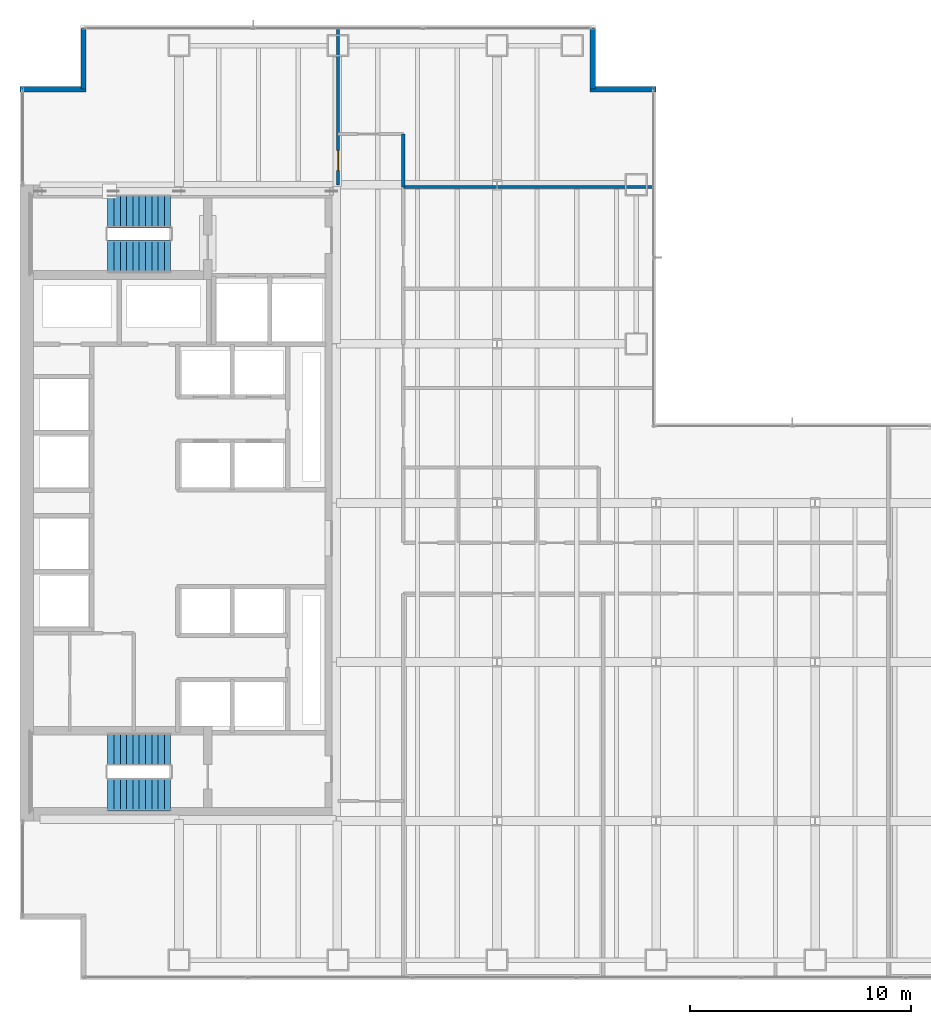
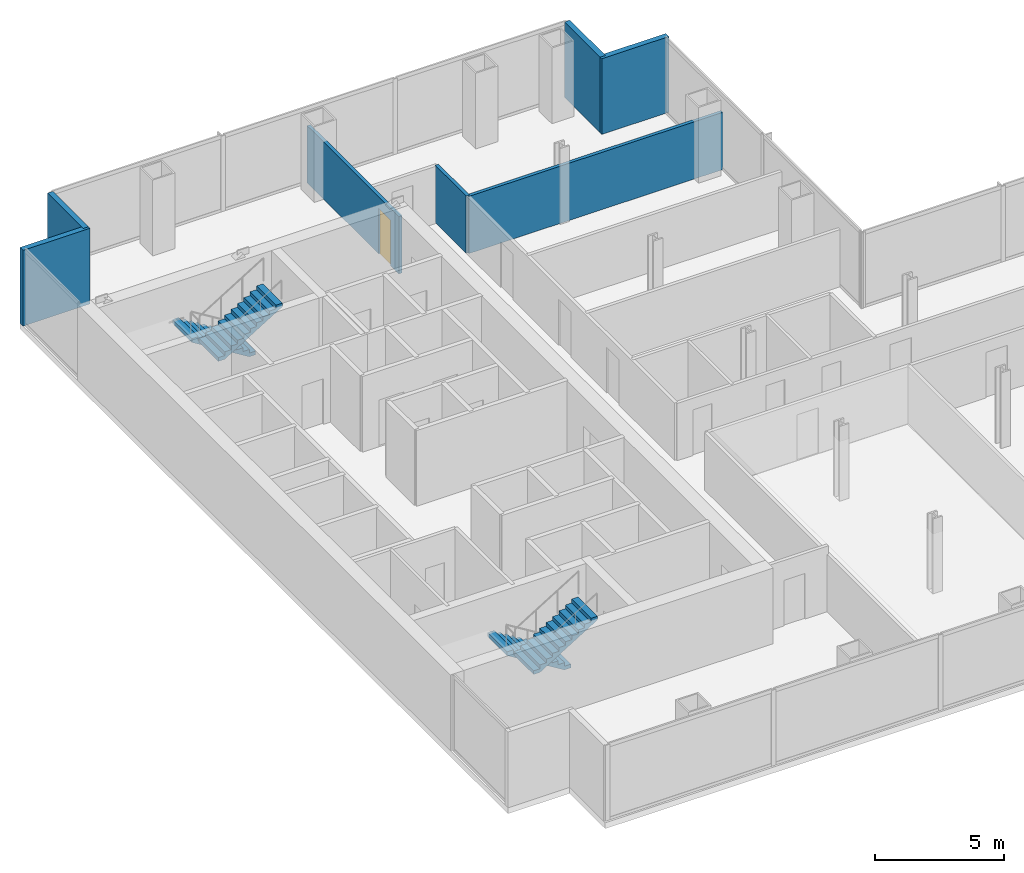
# One storey, part 22 of 24: 7 walls, 4 stair flights, 1 door, 1 opening, 2 elements without a shape of their own.
"""IFC4 building model written with IfcOpenShell, lengths in metres."""

from ifc_helpers import new_model, si_unit, direction, frame, frame_2d, origin, place, context, subcontext, project, spatial, polyline, rectangle, outline, extrude, material, layer, layer_set, type_object, element, fill, aggregate, save


model = new_model("IFC4")

# Units and contexts
model_context = context("Model", 3, precision=1e-05, world=origin(), true_north=direction((0.0, 1.0)))
body_context = subcontext(model_context, "Body", "Model", "MODEL_VIEW")
ifc_project = project(units=[si_unit("LENGTHUNIT", "METRE"), si_unit("AREAUNIT", "SQUARE_METRE"), si_unit("VOLUMEUNIT", "CUBIC_METRE"), si_unit("PLANEANGLEUNIT", "RADIAN"), si_unit("MASSUNIT", "GRAM", prefix="KILO")], contexts=[model_context])

# Site, building, storey
site_placement = place(None, origin())
site = spatial("IfcSite", under=ifc_project, at=site_placement, CompositionType="ELEMENT")
building_placement = place(site_placement, origin())
building = spatial("IfcBuilding", under=site, at=building_placement, Name="Cobrela Telecom Tower", CompositionType="ELEMENT")
storey_placement = place(building_placement, frame((0.0, 0.0, 69.64990234375)))
storey = spatial("IfcBuildingStorey", under=building, at=storey_placement, Name="L17", CompositionType="ELEMENT", Elevation=69.64990234375)

# Walls
ifc_material_1 = material(Name="Concrete C40/50", Category="concrete")
ifc_layer_1 = layer(ifc_material_1, 0.239990234375)
ifc_layer_set_1 = layer_set([ifc_layer_1], Name="Concrete C40/50")
wall_type_1 = type_object("IfcWallType", Name="WALL-EXT-300", PredefinedType="STANDARD", material=ifc_layer_set_1)
wall_1_placement = place(storey_placement, frame((0.0, 40.330078125, 0.0), z_axis=(0.0, 0.0, 1.0), x_axis=(1.0, 0.0, 0.0)))
element("IfcWall", 1, at=wall_1_placement, inside=storey, type_object=wall_type_1, Name="L17 Insulated Facade Wall 05", PredefinedType="STANDARD", context=body_context, shape_type="SweptSolid", body=[
    extrude(rectangle(XDim=2.989990234375, YDim=0.239990234375, at=frame_2d((1.4951171875, 0.0))), origin(), (0.0, 0.0, 1.0), 3.570068359375),
])
for number, where, z_axis, x_axis, name in (
    (2, (2.8701171875, 40.330078125, 0.0), (0.0, 0.0, 1.0), (0.0, 1.0, 0.0), "L17 Insulated Facade Wall 06"),
    (3, (25.929931640625, 43.080078125, 0.0), (0.0, 0.0, 1.0), (0.0, -1.0, 0.0), "L17 Insulated Facade Wall 08"),
):
    element("IfcWall", number, at=place(storey_placement, frame(where, z_axis=z_axis, x_axis=x_axis)), inside=storey, type_object=wall_type_1, Name=name, PredefinedType="STANDARD", context=body_context, shape_type="SweptSolid", body=[
        extrude(rectangle(XDim=2.75, YDim=0.239990234375, at=frame_2d((1.375, 0.0))), origin(), (0.0, 0.0, 1.0), 3.570068359375),
    ])
wall_2_placement = place(storey_placement, frame((25.81005859375, 40.330078125, 0.0), z_axis=(0.0, 0.0, 1.0), x_axis=(1.0, 0.0, 0.0)))
element("IfcWall", 4, at=wall_2_placement, inside=storey, type_object=wall_type_1, Name="L17 Insulated Facade Wall 09", PredefinedType="STANDARD", context=body_context, shape_type="SweptSolid", body=[
    extrude(rectangle(XDim=2.989990234375, YDim=0.239990234375, at=frame_2d((1.4951171875, 0.0))), origin(), (0.0, 0.0, 1.0), 3.570068359375),
])

# Wall, opening, door
ifc_material_2 = material(Name="Fire-Rated Gypsum Plasterboard")
ifc_layer_2 = layer(ifc_material_2, 0.14990234375)
ifc_layer_set_2 = layer_set([ifc_layer_2], Name="Fire-Rated Gypsum Plasterboard")
wall_type_2 = type_object("IfcWallType", Name="WALL-PART-150", PredefinedType="PARTITIONING", material=ifc_layer_set_2)
wall_3_placement = place(storey_placement, frame((14.39990234375, 36.0, 0.0), z_axis=(0.0, 0.0, 1.0), x_axis=(0.0, 1.0, 0.0)))
wall_3 = element("IfcWall", 5, at=wall_3_placement, inside=storey, type_object=wall_type_2, Name="L17 Interior Partition W-CN-W", PredefinedType="PARTITIONING", context=body_context, shape_type="SweptSolid", body=[
    extrude(rectangle(XDim=7.080078125, YDim=0.14990234375, at=frame_2d((3.5400390625, 0.0))), origin(), (0.0, 0.0, 1.0), 2.69921875),
])
opening_placement = place(wall_3_placement, frame((0.64990234375, 0.0, 0.0)))
opening = element("IfcOpeningElement", 6, at=opening_placement, cuts=wall_3, Name="Opening DR-41", PredefinedType="OPENING", context=body_context, shape_type="SweptSolid", body=[
    extrude(rectangle(XDim=0.89990234375, YDim=2.14990234375, at=frame_2d((0.449951171875, 1.074951171875))), frame((0.0, 0.0869140625, 0.0), z_axis=(0.0, -1.0, 0.0), x_axis=(1.0, 0.0, 0.0)), (0.0, 0.0, 1.0), 0.173828125),
])
ifc_material_3 = material(Name="Solid Engineered Oak Timber", Category="wood")
door_type = type_object("IfcDoorType", Name="DOOR-INT-900", OperationType="SINGLE_SWING_LEFT", PredefinedType="DOOR", material=ifc_material_3)
door_placement = place(opening_placement, origin())
door = element("IfcDoor", 7, at=door_placement, inside=storey, type_object=door_type, Name="L17 Door DR-41", OperationType="SINGLE_SWING_LEFT", OverallHeight=2.14990234375, OverallWidth=0.89990234375, PredefinedType="DOOR", context=body_context, shape_type="SweptSolid", body=[
    extrude(rectangle(XDim=0.89990234375, YDim=2.14990234375, at=frame_2d((0.449951171875, 1.074951171875))), frame((0.0, 0.02490234375, 0.0), z_axis=(0.0, -1.0, 0.0), x_axis=(1.0, 0.0, 0.0)), (0.0, 0.0, 1.0), 0.050048828125),
])
fill(opening, door)

# Walls
wall_4_placement = place(storey_placement, frame((17.35009765625, 35.89990234375, 0.0), z_axis=(0.0, 0.0, 1.0), x_axis=(0.0, 1.0, 0.0)))
element("IfcWall", 8, at=wall_4_placement, inside=storey, type_object=wall_type_2, Name="L17 Interior Partition W-CN-E", PredefinedType="PARTITIONING", context=body_context, shape_type="SweptSolid", body=[
    extrude(rectangle(XDim=2.400146484375, YDim=0.14990234375, at=frame_2d((1.2001953125, 0.0))), origin(), (0.0, 0.0, 1.0), 2.69921875),
])
wall_5_placement = place(storey_placement, frame((17.35009765625, 35.89990234375, 0.0), z_axis=(0.0, 0.0, 1.0), x_axis=(1.0, 0.0, 0.0)))
element("IfcWall", 9, at=wall_5_placement, inside=storey, type_object=wall_type_2, Name="L17 Interior Partition W-NW2-S", PredefinedType="PARTITIONING", context=body_context, shape_type="SweptSolid", body=[
    extrude(rectangle(XDim=11.329833984375, YDim=0.14990234375, at=frame_2d((5.6650390625, 0.0))), origin(), (0.0, 0.0, 1.0), 2.69921875),
])

# Stair, stair flights
stair_type = type_object("IfcStairType", Name="STAIR-CORE", PredefinedType="HALF_TURN_STAIR", material=ifc_material_1)
stair_1_placement = place(storey_placement, origin())
stair_1 = element("IfcStair", 10, at=stair_1_placement, inside=storey, type_object=stair_type, Name="L17 Smokeproof Exit Stair ST1", PredefinedType="HALF_TURN_STAIR")
stair_flight_type = type_object("IfcStairFlightType", Name="FLIGHT-CORE", PredefinedType="STRAIGHT", material=ifc_material_1)
stair_flight_1_placement = place(storey_placement, frame((6.820068359375, 34.800048828125, 0.0), z_axis=(0.0, 0.0, 1.0), x_axis=(-1.0, 0.0, 0.0)))
stair_flight_1 = element("IfcStairFlight", 11, at=stair_flight_1_placement, type_object=stair_flight_type, Name="ST1 flight 1", NumberOfRisers=11, NumberOfTreads=10, PredefinedType="STRAIGHT", RiserHeight=0.175, TreadLength=0.285, context=body_context, shape_type="SweptSolid", body=[
    extrude(outline(polyline([(0.0, 0.0), (0.0, 0.175048828125), (0.284912109375, 0.175048828125), (0.284912109375, 0.35009765625), (0.570068359375, 0.35009765625), (0.570068359375, 0.52490234375), (0.85498046875, 0.52490234375), (0.85498046875, 0.699951171875), (1.139892578125, 0.699951171875), (1.139892578125, 0.875), (1.425048828125, 0.875), (1.425048828125, 1.050048828125), (1.7099609375, 1.050048828125), (1.7099609375, 1.22509765625), (1.9951171875, 1.22509765625), (1.9951171875, 1.39990234375), (2.280029296875, 1.39990234375), (2.280029296875, 1.574951171875), (2.56494140625, 1.574951171875), (2.56494140625, 1.75), (2.85009765625, 1.75), (2.85009765625, 1.925048828125), (2.85009765625, 1.573974609375), (0.286376953125, 0.0), (0.0, 0.0)])), frame((0.0, 0.75, 0.0), z_axis=(0.0, -1.0, 0.0), x_axis=(1.0, 0.0, 0.0)), (0.0, 0.0, 1.0), 1.5),
])
stair_flight_2_placement = place(storey_placement, frame((3.969970703125, 32.75, 1.925048828125), z_axis=(0.0, 0.0, 1.0), x_axis=(1.0, 0.0, 0.0)))
stair_flight_2 = element("IfcStairFlight", 12, at=stair_flight_2_placement, type_object=stair_flight_type, Name="ST1 flight 2", NumberOfRisers=11, NumberOfTreads=10, PredefinedType="STRAIGHT", RiserHeight=0.175, TreadLength=0.285, context=body_context, shape_type="SweptSolid", body=[
    extrude(outline(polyline([(0.0, 0.0), (0.0, 0.175048828125), (0.284912109375, 0.175048828125), (0.284912109375, 0.35009765625), (0.570068359375, 0.35009765625), (0.570068359375, 0.52490234375), (0.85498046875, 0.52490234375), (0.85498046875, 0.699951171875), (1.139892578125, 0.699951171875), (1.139892578125, 0.875), (1.425048828125, 0.875), (1.425048828125, 1.050048828125), (1.7099609375, 1.050048828125), (1.7099609375, 1.22509765625), (1.9951171875, 1.22509765625), (1.9951171875, 1.39990234375), (2.280029296875, 1.39990234375), (2.280029296875, 1.574951171875), (2.56494140625, 1.574951171875), (2.56494140625, 1.75), (2.85009765625, 1.75), (2.85009765625, 1.925048828125), (2.85009765625, 1.573974609375), (0.286376953125, 0.0), (0.0, 0.0)])), frame((0.0, 0.75, 0.0), z_axis=(0.0, -1.0, 0.0), x_axis=(1.0, 0.0, 0.0)), (0.0, 0.0, 1.0), 1.5),
])
aggregate(stair_1, [stair_flight_1, stair_flight_2])

stair_2_placement = place(storey_placement, origin())
stair_2 = element("IfcStair", 13, at=stair_2_placement, inside=storey, type_object=stair_type, Name="L17 Smokeproof Exit Stair ST2", PredefinedType="HALF_TURN_STAIR")
stair_flight_3_placement = place(storey_placement, frame((6.820068359375, 10.449951171875, 0.0), z_axis=(0.0, 0.0, 1.0), x_axis=(-1.0, 0.0, 0.0)))
stair_flight_3 = element("IfcStairFlight", 14, at=stair_flight_3_placement, type_object=stair_flight_type, Name="ST2 flight 1", NumberOfRisers=11, NumberOfTreads=10, PredefinedType="STRAIGHT", RiserHeight=0.175, TreadLength=0.285, context=body_context, shape_type="SweptSolid", body=[
    extrude(outline(polyline([(0.0, 0.0), (0.0, 0.175048828125), (0.284912109375, 0.175048828125), (0.284912109375, 0.35009765625), (0.570068359375, 0.35009765625), (0.570068359375, 0.52490234375), (0.85498046875, 0.52490234375), (0.85498046875, 0.699951171875), (1.139892578125, 0.699951171875), (1.139892578125, 0.875), (1.425048828125, 0.875), (1.425048828125, 1.050048828125), (1.7099609375, 1.050048828125), (1.7099609375, 1.22509765625), (1.9951171875, 1.22509765625), (1.9951171875, 1.39990234375), (2.280029296875, 1.39990234375), (2.280029296875, 1.574951171875), (2.56494140625, 1.574951171875), (2.56494140625, 1.75), (2.85009765625, 1.75), (2.85009765625, 1.925048828125), (2.85009765625, 1.573974609375), (0.286376953125, 0.0), (0.0, 0.0)])), frame((0.0, 0.75, 0.0), z_axis=(0.0, -1.0, 0.0), x_axis=(1.0, 0.0, 0.0)), (0.0, 0.0, 1.0), 1.5),
])
stair_flight_4_placement = place(storey_placement, frame((3.969970703125, 8.39990234375, 1.925048828125), z_axis=(0.0, 0.0, 1.0), x_axis=(1.0, 0.0, 0.0)))
stair_flight_4 = element("IfcStairFlight", 15, at=stair_flight_4_placement, type_object=stair_flight_type, Name="ST2 flight 2", NumberOfRisers=11, NumberOfTreads=10, PredefinedType="STRAIGHT", RiserHeight=0.175, TreadLength=0.285, context=body_context, shape_type="SweptSolid", body=[
    extrude(outline(polyline([(0.0, 0.0), (0.0, 0.175048828125), (0.284912109375, 0.175048828125), (0.284912109375, 0.35009765625), (0.570068359375, 0.35009765625), (0.570068359375, 0.52490234375), (0.85498046875, 0.52490234375), (0.85498046875, 0.699951171875), (1.139892578125, 0.699951171875), (1.139892578125, 0.875), (1.425048828125, 0.875), (1.425048828125, 1.050048828125), (1.7099609375, 1.050048828125), (1.7099609375, 1.22509765625), (1.9951171875, 1.22509765625), (1.9951171875, 1.39990234375), (2.280029296875, 1.39990234375), (2.280029296875, 1.574951171875), (2.56494140625, 1.574951171875), (2.56494140625, 1.75), (2.85009765625, 1.75), (2.85009765625, 1.925048828125), (2.85009765625, 1.573974609375), (0.286376953125, 0.0), (0.0, 0.0)])), frame((0.0, 0.75, 0.0), z_axis=(0.0, -1.0, 0.0), x_axis=(1.0, 0.0, 0.0)), (0.0, 0.0, 1.0), 1.5),
])
aggregate(stair_2, [stair_flight_3, stair_flight_4])

save(model, "model.ifc")
